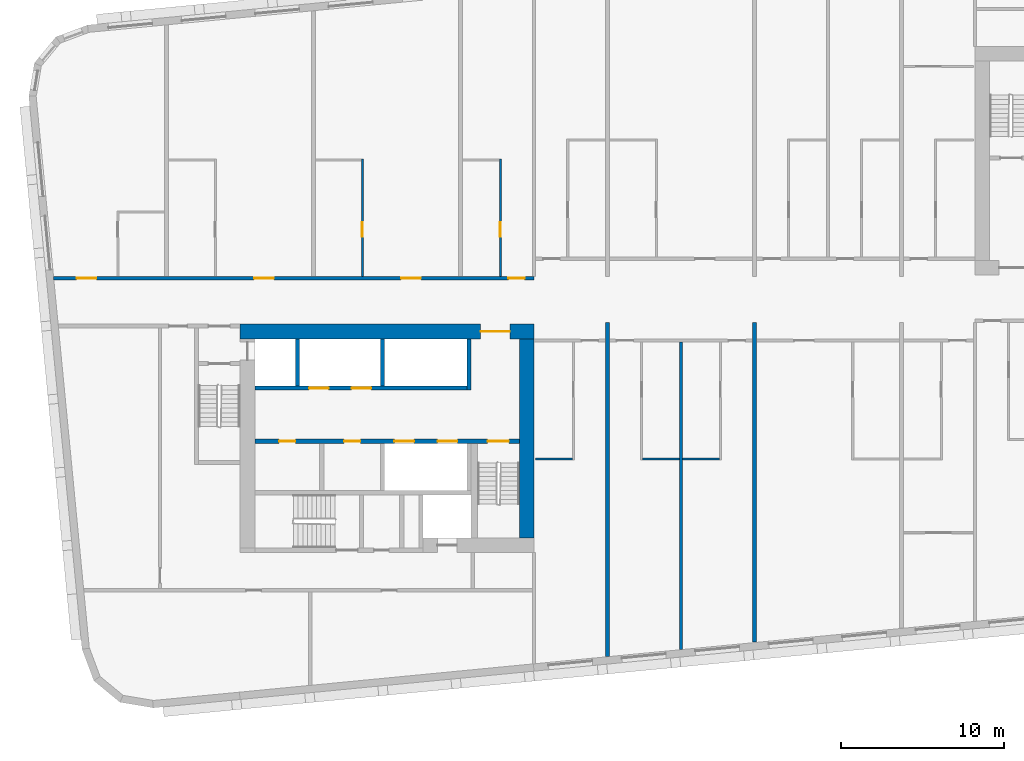
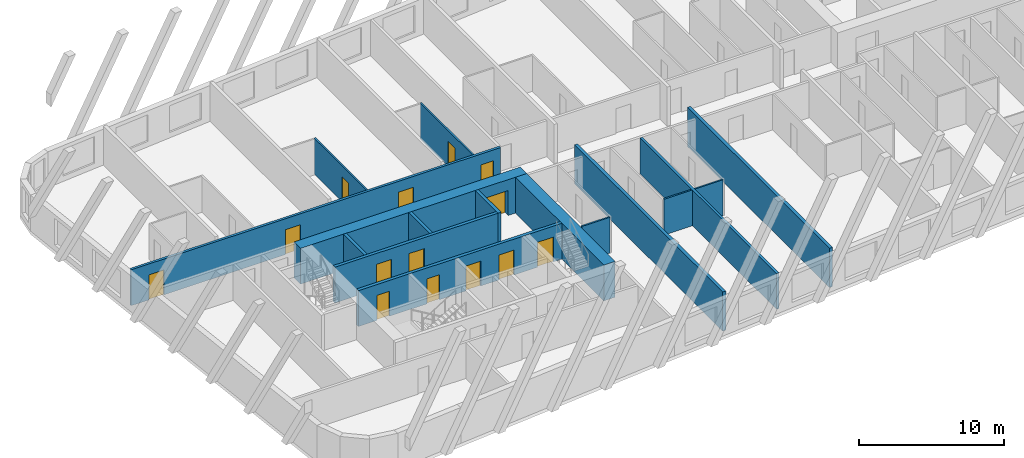
# One storey, part 3 of 13: 16 walls, 14 doors, 14 openings.
"""IFC4 building model written with IfcOpenShell, lengths in metres."""

from ifc_helpers import new_model, si_unit, direction, frame, frame_2d, origin, place, context, subcontext, project, spatial, rectangle, extrude, material, layer, layer_set, type_object, element, fill, save


model = new_model("IFC4")

# Units and contexts
model_context = context("Model", 3, precision=1e-05, world=origin(), true_north=direction((0.0, 1.0)))
body_context = subcontext(model_context, "Body", "Model", "MODEL_VIEW")
ifc_project = project(units=[si_unit("LENGTHUNIT", "METRE"), si_unit("AREAUNIT", "SQUARE_METRE"), si_unit("VOLUMEUNIT", "CUBIC_METRE"), si_unit("PLANEANGLEUNIT", "RADIAN"), si_unit("MASSUNIT", "GRAM", prefix="KILO")], contexts=[model_context])

# Site, building, storey
site_placement = place(None, origin())
site = spatial("IfcSite", under=ifc_project, at=site_placement, CompositionType="ELEMENT")
building_placement = place(site_placement, origin())
building = spatial("IfcBuilding", under=site, at=building_placement, Name="Kajstack Hotel Tower", CompositionType="ELEMENT")
storey_placement = place(building_placement, frame((0.0, 0.0, 196.60009765625)))
storey = spatial("IfcBuildingStorey", under=building, at=storey_placement, Name="L47", CompositionType="ELEMENT", Elevation=196.60009765625)

# Wall, opening, door
ifc_material_1 = material(Name="Concrete C60/75", Category="concrete")
ifc_layer_1 = layer(ifc_material_1, 0.89990234375)
ifc_layer_set_1 = layer_set([ifc_layer_1], Name="Core wall 900")
wall_type_1 = type_object("IfcWallType", Name="Core wall 900", PredefinedType="SHEAR", material=ifc_layer_set_1)
wall_1_placement = place(storey_placement, frame((-31.5, -1.949951171875, 0.0), z_axis=(0.0, 0.0, 1.0), x_axis=(1.0, 0.0, 0.0)))
wall_1 = element("IfcWall", 1, at=wall_1_placement, inside=storey, type_object=wall_type_1, Name="Core wall W RN", PredefinedType="SHEAR", context=body_context, shape_type="SweptSolid", body=[
    extrude(rectangle(XDim=18.0, YDim=0.89990234375, at=frame_2d((9.0, 0.0))), origin(), (0.0, 0.0, 1.0), 3.02001953125),
])
opening_1_placement = place(wall_1_placement, frame((14.72509765625, 0.0, 0.0)))
opening_1 = element("IfcOpeningElement", 2, at=opening_1_placement, cuts=wall_1, Name="Opening 47W07", PredefinedType="OPENING", context=body_context, shape_type="SweptSolid", body=[
    extrude(rectangle(XDim=1.800048828125, YDim=2.10009765625, at=frame_2d((0.89990234375, 1.050048828125))), frame((0.0, 0.4599609375, 0.0), z_axis=(0.0, -1.0, 0.0), x_axis=(1.0, 0.0, 0.0)), (0.0, 0.0, 1.0), 0.919921875),
])
ifc_material_2 = material(Name="Glazed steel frame, fire-rated glass", Category="steel")
door_type_1 = type_object("IfcDoorType", Name="Lobby double door 1800", OperationType="DOUBLE_DOOR_DOUBLE_SWING", PredefinedType="DOOR", material=ifc_material_2)
door_1_placement = place(opening_1_placement, origin())
door_1 = element("IfcDoor", 3, at=door_1_placement, inside=storey, type_object=door_type_1, Name="Door 47W07", OperationType="DOUBLE_DOOR_DOUBLE_SWING", OverallHeight=2.10009765625, OverallWidth=1.800048828125, PredefinedType="DOOR", context=body_context, shape_type="SweptSolid", body=[
    extrude(rectangle(XDim=1.800048828125, YDim=2.10009765625, at=frame_2d((0.89990234375, 1.050048828125))), frame((0.0, 0.02490234375, 0.0), z_axis=(0.0, -1.0, 0.0), x_axis=(1.0, 0.0, 0.0)), (0.0, 0.0, 1.0), 0.050048828125),
])
fill(opening_1, door_1)

# Wall
wall_2_placement = place(storey_placement, frame((-13.949951171875, -14.60009765625, 0.0), z_axis=(0.0, 0.0, 1.0), x_axis=(0.0, 1.0, 0.0)))
element("IfcWall", 4, at=wall_2_placement, inside=storey, type_object=wall_type_1, Name="Core wall W RE", PredefinedType="SHEAR", context=body_context, shape_type="SweptSolid", body=[
    extrude(rectangle(XDim=12.2001953125, YDim=0.89990234375, at=frame_2d((6.10009765625, 0.0))), origin(), (0.0, 0.0, 1.0), 3.02001953125),
])

# Wall, openings, doors
ifc_material_3 = material(Name="Gypsum board on steel studs, mineral wool", Category="steel")
ifc_layer_2 = layer(ifc_material_3, 0.199951171875)
ifc_layer_set_2 = layer_set([ifc_layer_2], Name="Corridor wall 200")
wall_type_2 = type_object("IfcWallType", Name="Corridor wall 200", PredefinedType="PARTITIONING", material=ifc_layer_set_2)
wall_3_placement = place(storey_placement, frame((-42.9130859375, 1.300048828125, 0.0), z_axis=(0.0, 0.0, 1.0), x_axis=(1.0, 0.0, 0.0)))
wall_3 = element("IfcWall", 5, at=wall_3_placement, inside=storey, type_object=wall_type_2, Name="G-wall-L47-003", PredefinedType="PARTITIONING", context=body_context, shape_type="SweptSolid", body=[
    extrude(rectangle(XDim=29.4130859375, YDim=0.199951171875, at=frame_2d((14.70654296875, 0.0))), origin(), (0.0, 0.0, 1.0), 3.02001953125),
])
opening_2_placement = place(wall_3_placement, frame((1.406005859375, 0.0, 0.0)))
opening_2 = element("IfcOpeningElement", 6, at=opening_2_placement, cuts=wall_3, Name="Opening 47001", PredefinedType="OPENING", context=body_context, shape_type="SweptSolid", body=[
    extrude(rectangle(XDim=1.199951171875, YDim=2.10009765625, at=frame_2d((0.60009765625, 1.050048828125))), frame((0.0, 0.10986328125, 0.0), z_axis=(0.0, -1.0, 0.0), x_axis=(1.0, 0.0, 0.0)), (0.0, 0.0, 1.0), 0.219970703125),
])
opening_3_placement = place(wall_3_placement, frame((12.27490234375, 0.0, 0.0)))
opening_3 = element("IfcOpeningElement", 7, at=opening_3_placement, cuts=wall_3, Name="Opening 47003", PredefinedType="OPENING", context=body_context, shape_type="SweptSolid", body=[
    extrude(rectangle(XDim=1.199951171875, YDim=2.10009765625, at=frame_2d((0.60009765625, 1.050048828125))), frame((0.0, 0.10986328125, 0.0), z_axis=(0.0, -1.0, 0.0), x_axis=(1.0, 0.0, 0.0)), (0.0, 0.0, 1.0), 0.219970703125),
])
opening_4_placement = place(wall_3_placement, frame((21.27490234375, 0.0, 0.0)))
opening_4 = element("IfcOpeningElement", 8, at=opening_4_placement, cuts=wall_3, Name="Opening 47005", PredefinedType="OPENING", context=body_context, shape_type="SweptSolid", body=[
    extrude(rectangle(XDim=1.199951171875, YDim=2.10009765625, at=frame_2d((0.60009765625, 1.050048828125))), frame((0.0, 0.10986328125, 0.0), z_axis=(0.0, -1.0, 0.0), x_axis=(1.0, 0.0, 0.0)), (0.0, 0.0, 1.0), 0.219970703125),
])
opening_5_placement = place(wall_3_placement, frame((27.837890625, 0.0, 0.0)))
opening_5 = element("IfcOpeningElement", 9, at=opening_5_placement, cuts=wall_3, Name="Opening 47007", PredefinedType="OPENING", context=body_context, shape_type="SweptSolid", body=[
    extrude(rectangle(XDim=1.0, YDim=2.10009765625, at=frame_2d((0.5, 1.050048828125))), frame((0.0, 0.10986328125, 0.0), z_axis=(0.0, -1.0, 0.0), x_axis=(1.0, 0.0, 0.0)), (0.0, 0.0, 1.0), 0.219970703125),
])
ifc_material_4 = material(Name="Oak veneer on timber core, fire-rated leaf", Category="wood")
door_type_2 = type_object("IfcDoorType", Name="Flat entrance door 1000", OperationType="SINGLE_SWING_LEFT", PredefinedType="DOOR", material=ifc_material_4)
door_2_placement = place(opening_5_placement, origin())
door_2 = element("IfcDoor", 10, at=door_2_placement, inside=storey, type_object=door_type_2, Name="G-door-L47-07", OperationType="SINGLE_SWING_RIGHT", OverallHeight=2.10009765625, OverallWidth=1.0, PredefinedType="DOOR", context=body_context, shape_type="SweptSolid", body=[
    extrude(rectangle(XDim=1.0, YDim=2.10009765625, at=frame_2d((0.5, 1.050048828125))), frame((0.0, 0.02490234375, 0.0), z_axis=(0.0, -1.0, 0.0), x_axis=(1.0, 0.0, 0.0)), (0.0, 0.0, 1.0), 0.050048828125),
])
fill(opening_5, door_2)
door_type_3 = type_object("IfcDoorType", Name="Flat entrance door 1200", OperationType="SINGLE_SWING_LEFT", PredefinedType="DOOR", material=ifc_material_4)
door_3_placement = place(opening_2_placement, origin())
door_3 = element("IfcDoor", 11, at=door_3_placement, inside=storey, type_object=door_type_3, Name="G-door-L47-01", OperationType="SINGLE_SWING_LEFT", OverallHeight=2.10009765625, OverallWidth=1.199951171875, PredefinedType="DOOR", context=body_context, shape_type="SweptSolid", body=[
    extrude(rectangle(XDim=1.199951171875, YDim=2.10009765625, at=frame_2d((0.60009765625, 1.050048828125))), frame((0.0, 0.02490234375, 0.0), z_axis=(0.0, -1.0, 0.0), x_axis=(1.0, 0.0, 0.0)), (0.0, 0.0, 1.0), 0.050048828125),
])
fill(opening_2, door_3)
door_4_placement = place(opening_3_placement, origin())
door_4 = element("IfcDoor", 12, at=door_4_placement, inside=storey, type_object=door_type_3, Name="G-door-L47-03", OperationType="SINGLE_SWING_LEFT", OverallHeight=2.10009765625, OverallWidth=1.199951171875, PredefinedType="DOOR", context=body_context, shape_type="SweptSolid", body=[
    extrude(rectangle(XDim=1.199951171875, YDim=2.10009765625, at=frame_2d((0.60009765625, 1.050048828125))), frame((0.0, 0.02490234375, 0.0), z_axis=(0.0, -1.0, 0.0), x_axis=(1.0, 0.0, 0.0)), (0.0, 0.0, 1.0), 0.050048828125),
])
fill(opening_3, door_4)
door_5_placement = place(opening_4_placement, origin())
door_5 = element("IfcDoor", 13, at=door_5_placement, inside=storey, type_object=door_type_3, Name="G-door-L47-05", OperationType="SINGLE_SWING_LEFT", OverallHeight=2.10009765625, OverallWidth=1.199951171875, PredefinedType="DOOR", context=body_context, shape_type="SweptSolid", body=[
    extrude(rectangle(XDim=1.199951171875, YDim=2.10009765625, at=frame_2d((0.60009765625, 1.050048828125))), frame((0.0, 0.02490234375, 0.0), z_axis=(0.0, -1.0, 0.0), x_axis=(1.0, 0.0, 0.0)), (0.0, 0.0, 1.0), 0.050048828125),
])
fill(opening_4, door_5)

# Wall
ifc_material_5 = material(Name="Twin-frame gypsum board on steel studs, mineral wool", Category="steel")
ifc_layer_3 = layer(ifc_material_5, 0.199951171875)
ifc_layer_set_3 = layer_set([ifc_layer_3], Name="Demising wall 200")
wall_type_3 = type_object("IfcWallType", Name="Demising wall 200", PredefinedType="PARTITIONING", material=ifc_layer_set_3)
wall_4_placement = place(storey_placement, frame((-4.5, -21.43408203125, 0.0), z_axis=(0.0, 0.0, 1.0), x_axis=(0.0, 1.0, 0.0)))
element("IfcWall", 14, at=wall_4_placement, inside=storey, type_object=wall_type_3, Name="G-wall-L47-030", PredefinedType="PARTITIONING", context=body_context, shape_type="SweptSolid", body=[
    extrude(rectangle(XDim=18.833984375, YDim=0.199951171875, at=frame_2d((9.4169921875, 0.0))), origin(), (0.0, 0.0, 1.0), 3.02001953125),
])

# Wall, opening, door
ifc_material_6 = material(Name="Gypsum board and tiled backer on steel studs", Category="steel")
ifc_layer_4 = layer(ifc_material_6, 0.125)
ifc_layer_set_4 = layer_set([ifc_layer_4], Name="En-suite wall 125")
wall_type_4 = type_object("IfcWallType", Name="En-suite wall 125", PredefinedType="PARTITIONING", material=ifc_layer_set_4)
wall_5_placement = place(storey_placement, frame((-24.011962890625, 1.39990234375, 0.0), z_axis=(0.0, 0.0, 1.0), x_axis=(0.0, 1.0, 0.0)))
wall_5 = element("IfcWall", 15, at=wall_5_placement, inside=storey, type_object=wall_type_4, Name="G-wall-L47-009", PredefinedType="PARTITIONING", context=body_context, shape_type="SweptSolid", body=[
    extrude(rectangle(XDim=7.22509765625, YDim=0.125, at=frame_2d((3.612548828125, 0.0))), origin(), (0.0, 0.0, 1.0), 3.02001953125),
])
opening_6_placement = place(wall_5_placement, frame((2.449951171875, 0.0, 0.0)))
opening_6 = element("IfcOpeningElement", 16, at=opening_6_placement, cuts=wall_5, Name="Opening 47006", PredefinedType="OPENING", context=body_context, shape_type="SweptSolid", body=[
    extrude(rectangle(XDim=0.89990234375, YDim=2.10009765625, at=frame_2d((0.449951171875, 1.050048828125))), frame((0.0, 0.072509765625, 0.0), z_axis=(0.0, -1.0, 0.0), x_axis=(1.0, 0.0, 0.0)), (0.0, 0.0, 1.0), 0.14501953125),
])
ifc_material_7 = material(Name="Painted timber door leaf", Category="wood")
door_type_4 = type_object("IfcDoorType", Name="Room door 900", OperationType="SINGLE_SWING_LEFT", PredefinedType="DOOR", material=ifc_material_7)
door_6_placement = place(opening_6_placement, origin())
door_6 = element("IfcDoor", 17, at=door_6_placement, inside=storey, type_object=door_type_4, Name="G-door-L47-06", OperationType="SINGLE_SWING_LEFT", OverallHeight=2.10009765625, OverallWidth=0.89990234375, PredefinedType="DOOR", context=body_context, shape_type="SweptSolid", body=[
    extrude(rectangle(XDim=0.89990234375, YDim=2.10009765625, at=frame_2d((0.449951171875, 1.050048828125))), frame((0.0, 0.02490234375, 0.0), z_axis=(0.0, -1.0, 0.0), x_axis=(1.0, 0.0, 0.0)), (0.0, 0.0, 1.0), 0.050048828125),
])
fill(opening_6, door_6)

wall_6_placement = place(storey_placement, frame((-15.56201171875, 1.39990234375, 0.0), z_axis=(0.0, 0.0, 1.0), x_axis=(0.0, 1.0, 0.0)))
wall_6 = element("IfcWall", 18, at=wall_6_placement, inside=storey, type_object=wall_type_4, Name="G-wall-L47-012", PredefinedType="PARTITIONING", context=body_context, shape_type="SweptSolid", body=[
    extrude(rectangle(XDim=7.22509765625, YDim=0.125, at=frame_2d((3.612548828125, 0.0))), origin(), (0.0, 0.0, 1.0), 3.02001953125),
])
opening_7_placement = place(wall_6_placement, frame((2.449951171875, 0.0, 0.0)))
opening_7 = element("IfcOpeningElement", 19, at=opening_7_placement, cuts=wall_6, Name="Opening 47008", PredefinedType="OPENING", context=body_context, shape_type="SweptSolid", body=[
    extrude(rectangle(XDim=0.89990234375, YDim=2.10009765625, at=frame_2d((0.449951171875, 1.050048828125))), frame((0.0, 0.072509765625, 0.0), z_axis=(0.0, -1.0, 0.0), x_axis=(1.0, 0.0, 0.0)), (0.0, 0.0, 1.0), 0.14501953125),
])
door_7_placement = place(opening_7_placement, origin())
door_7 = element("IfcDoor", 20, at=door_7_placement, inside=storey, type_object=door_type_4, Name="G-door-L47-08", OperationType="SINGLE_SWING_RIGHT", OverallHeight=2.10009765625, OverallWidth=0.89990234375, PredefinedType="DOOR", context=body_context, shape_type="SweptSolid", body=[
    extrude(rectangle(XDim=0.89990234375, YDim=2.10009765625, at=frame_2d((0.449951171875, 1.050048828125))), frame((0.0, 0.02490234375, 0.0), z_axis=(0.0, -1.0, 0.0), x_axis=(1.0, 0.0, 0.0)), (0.0, 0.0, 1.0), 0.050048828125),
])
fill(opening_7, door_7)

# Walls
for number, where, z_axis, x_axis, name in (
    (21, (-13.39990234375, -9.761962890625, 0.0), (0.0, 0.0, 1.0), (1.0, 0.0, 0.0), "G-wall-L47-029"),
    (22, (-6.85009765625, -9.761962890625, 0.0), (0.0, 0.0, 1.0), (1.0, 0.0, 0.0), "G-wall-L47-032"),
    (23, (-4.39990234375, -9.761962890625, 0.0), (0.0, 0.0, 1.0), (1.0, 0.0, 0.0), "G-wall-L47-034"),
):
    element("IfcWall", number, at=place(storey_placement, frame(where, z_axis=z_axis, x_axis=x_axis)), inside=storey, type_object=wall_type_4, Name=name, PredefinedType="PARTITIONING", context=body_context, shape_type="SweptSolid", body=[
        extrude(rectangle(XDim=2.25, YDim=0.125, at=frame_2d((1.125, 0.0))), origin(), (0.0, 0.0, 1.0), 3.02001953125),
    ])
ifc_material_8 = material(Name="Concrete C50/60", Category="concrete")
ifc_layer_5 = layer(ifc_material_8, 0.300048828125)
ifc_layer_set_5 = layer_set([ifc_layer_5], Name="Hoistway divider wall 300")
wall_type_5 = type_object("IfcWallType", Name="Hoistway divider wall 300", PredefinedType="SHEAR", material=ifc_layer_set_5)
wall_7_placement = place(storey_placement, frame((-22.77490234375, -5.300048828125, 0.0), z_axis=(0.0, 0.0, 1.0), x_axis=(0.0, 1.0, 0.0)))
element("IfcWall", 24, at=wall_7_placement, inside=storey, type_object=wall_type_5, Name="Core wall W AP2", PredefinedType="SHEAR", context=body_context, shape_type="SweptSolid", body=[
    extrude(rectangle(XDim=2.900146484375, YDim=0.25, at=frame_2d((1.4501953125, 0.0))), origin(), (0.0, 0.0, 1.0), 3.02001953125),
])
ifc_layer_6 = layer(ifc_material_8, 0.25)
ifc_layer_set_6 = layer_set([ifc_layer_6], Name="RC cross wall 250 C50/60")
wall_type_6 = type_object("IfcWallType", Name="RC cross wall 250 C50/60", PredefinedType="SHEAR", material=ifc_layer_set_6)
wall_8_placement = place(storey_placement, frame((-9.0, -21.84521484375, 0.0), z_axis=(0.0, 0.0, 1.0), x_axis=(0.0, 1.0, 0.0)))
element("IfcWall", 25, at=wall_8_placement, inside=storey, type_object=wall_type_6, Name="S-wall-L47-04", PredefinedType="SHEAR", context=body_context, shape_type="SweptSolid", body=[
    extrude(rectangle(XDim=20.4453125, YDim=0.25, at=frame_2d((10.22265625, 0.0))), origin(), (0.0, 0.0, 1.0), 3.2998046875),
])
wall_9_placement = place(storey_placement, frame((0.0, -20.978515625, 0.0), z_axis=(0.0, 0.0, 1.0), x_axis=(0.0, 1.0, 0.0)))
element("IfcWall", 26, at=wall_9_placement, inside=storey, type_object=wall_type_6, Name="S-wall-L47-06", PredefinedType="SHEAR", context=body_context, shape_type="SweptSolid", body=[
    extrude(rectangle(XDim=19.57861328125, YDim=0.25, at=frame_2d((9.789306640625, 0.0))), origin(), (0.0, 0.0, 1.0), 3.2998046875),
])

# Wall, openings, doors
ifc_layer_7 = layer(ifc_material_8, 0.25)
ifc_layer_set_7 = layer_set([ifc_layer_7], Name="Shaft wall 250")
wall_type_7 = type_object("IfcWallType", Name="Shaft wall 250", PredefinedType="SHEAR", material=ifc_layer_set_7)
wall_10_placement = place(storey_placement, frame((-30.60009765625, -5.425048828125, 0.0), z_axis=(0.0, 0.0, 1.0), x_axis=(1.0, 0.0, 0.0)))
wall_10 = element("IfcWall", 27, at=wall_10_placement, inside=storey, type_object=wall_type_7, Name="Core wall W FA", PredefinedType="SHEAR", context=body_context, shape_type="SweptSolid", body=[
    extrude(rectangle(XDim=13.0, YDim=0.25, at=frame_2d((6.5, 0.0))), origin(), (0.0, 0.0, 1.0), 3.02001953125),
])
opening_8_placement = place(wall_10_placement, frame((3.324951171875, 0.0, 0.0)))
opening_8 = element("IfcOpeningElement", 28, at=opening_8_placement, cuts=wall_10, Name="Opening LD-MR3", PredefinedType="OPENING", context=body_context, shape_type="SweptSolid", body=[
    extrude(rectangle(XDim=1.199951171875, YDim=2.10009765625, at=frame_2d((0.60009765625, 1.050048828125))), frame((0.0, 0.135009765625, 0.0), z_axis=(0.0, -1.0, 0.0), x_axis=(1.0, 0.0, 0.0)), (0.0, 0.0, 1.0), 0.27001953125),
])
opening_9_placement = place(wall_10_placement, frame((5.925048828125, 0.0, 0.0)))
opening_9 = element("IfcOpeningElement", 29, at=opening_9_placement, cuts=wall_10, Name="Opening LD-MR4", PredefinedType="OPENING", context=body_context, shape_type="SweptSolid", body=[
    extrude(rectangle(XDim=1.199951171875, YDim=2.10009765625, at=frame_2d((0.60009765625, 1.050048828125))), frame((0.0, 0.135009765625, 0.0), z_axis=(0.0, -1.0, 0.0), x_axis=(1.0, 0.0, 0.0)), (0.0, 0.0, 1.0), 0.27001953125),
])
ifc_material_9 = material(Name="Stainless steel", Category="steel")
door_type_5 = type_object("IfcDoorType", Name="Lift landing door 1200", OperationType="SLIDING_TO_LEFT", PredefinedType="DOOR", material=ifc_material_9)
door_8_placement = place(opening_8_placement, origin())
door_8 = element("IfcDoor", 30, at=door_8_placement, inside=storey, type_object=door_type_5, Name="Landing door MR3", OperationType="SLIDING_TO_RIGHT", OverallHeight=2.10009765625, OverallWidth=1.199951171875, PredefinedType="DOOR", context=body_context, shape_type="SweptSolid", body=[
    extrude(rectangle(XDim=1.199951171875, YDim=2.10009765625, at=frame_2d((0.60009765625, 1.050048828125))), frame((0.0, 0.02490234375, 0.0), z_axis=(0.0, -1.0, 0.0), x_axis=(1.0, 0.0, 0.0)), (0.0, 0.0, 1.0), 0.050048828125),
])
fill(opening_8, door_8)
door_9_placement = place(opening_9_placement, origin())
door_9 = element("IfcDoor", 31, at=door_9_placement, inside=storey, type_object=door_type_5, Name="Landing door MR4", OperationType="SLIDING_TO_RIGHT", OverallHeight=2.10009765625, OverallWidth=1.199951171875, PredefinedType="DOOR", context=body_context, shape_type="SweptSolid", body=[
    extrude(rectangle(XDim=1.199951171875, YDim=2.10009765625, at=frame_2d((0.60009765625, 1.050048828125))), frame((0.0, 0.02490234375, 0.0), z_axis=(0.0, -1.0, 0.0), x_axis=(1.0, 0.0, 0.0)), (0.0, 0.0, 1.0), 0.050048828125),
])
fill(opening_9, door_9)

# Walls
wall_11_placement = place(storey_placement, frame((-17.47509765625, -5.550048828125, 0.0), z_axis=(0.0, 0.0, 1.0), x_axis=(0.0, 1.0, 0.0)))
element("IfcWall", 32, at=wall_11_placement, inside=storey, type_object=wall_type_7, Name="Core wall W AE", PredefinedType="SHEAR", context=body_context, shape_type="SweptSolid", body=[
    extrude(rectangle(XDim=3.150146484375, YDim=0.25, at=frame_2d((1.5751953125, 0.0))), origin(), (0.0, 0.0, 1.0), 3.02001953125),
])
wall_12_placement = place(storey_placement, frame((-27.97509765625, -5.300048828125, 0.0), z_axis=(0.0, 0.0, 1.0), x_axis=(0.0, 1.0, 0.0)))
element("IfcWall", 33, at=wall_12_placement, inside=storey, type_object=wall_type_7, Name="Core wall W AP0", PredefinedType="SHEAR", context=body_context, shape_type="SweptSolid", body=[
    extrude(rectangle(XDim=2.900146484375, YDim=0.25, at=frame_2d((1.4501953125, 0.0))), origin(), (0.0, 0.0, 1.0), 3.02001953125),
])

# Wall, openings, doors
wall_13_placement = place(storey_placement, frame((-30.60009765625, -8.675048828125, 0.0), z_axis=(0.0, 0.0, 1.0), x_axis=(1.0, 0.0, 0.0)))
wall_13 = element("IfcWall", 34, at=wall_13_placement, inside=storey, type_object=wall_type_7, Name="Core wall W FB", PredefinedType="SHEAR", context=body_context, shape_type="SweptSolid", body=[
    extrude(rectangle(XDim=16.2001953125, YDim=0.25, at=frame_2d((8.10009765625, 0.0))), origin(), (0.0, 0.0, 1.0), 3.02001953125),
])
opening_10_placement = place(wall_13_placement, frame((8.550048828125, 0.0, 0.0)))
opening_10 = element("IfcOpeningElement", 35, at=opening_10_placement, cuts=wall_13, Name="Opening LD-MR1", PredefinedType="OPENING", context=body_context, shape_type="SweptSolid", body=[
    extrude(rectangle(XDim=1.199951171875, YDim=2.10009765625, at=frame_2d((0.60009765625, 1.050048828125))), frame((0.0, 0.135009765625, 0.0), z_axis=(0.0, -1.0, 0.0), x_axis=(1.0, 0.0, 0.0)), (0.0, 0.0, 1.0), 0.27001953125),
])
opening_11_placement = place(wall_13_placement, frame((11.199951171875, 0.0, 0.0)))
opening_11 = element("IfcOpeningElement", 36, at=opening_11_placement, cuts=wall_13, Name="Opening LD-MR2", PredefinedType="OPENING", context=body_context, shape_type="SweptSolid", body=[
    extrude(rectangle(XDim=1.199951171875, YDim=2.10009765625, at=frame_2d((0.60009765625, 1.050048828125))), frame((0.0, 0.135009765625, 0.0), z_axis=(0.0, -1.0, 0.0), x_axis=(1.0, 0.0, 0.0)), (0.0, 0.0, 1.0), 0.27001953125),
])
opening_12_placement = place(wall_13_placement, frame((14.25, 0.0, 0.0)))
opening_12 = element("IfcOpeningElement", 37, at=opening_12_placement, cuts=wall_13, Name="Opening 47W11", PredefinedType="OPENING", context=body_context, shape_type="SweptSolid", body=[
    extrude(rectangle(XDim=1.300048828125, YDim=2.10009765625, at=frame_2d((0.64990234375, 1.050048828125))), frame((0.0, 0.135009765625, 0.0), z_axis=(0.0, -1.0, 0.0), x_axis=(1.0, 0.0, 0.0)), (0.0, 0.0, 1.0), 0.27001953125),
])
opening_13_placement = place(wall_13_placement, frame((1.487548828125, 0.0, 0.0)))
opening_13 = element("IfcOpeningElement", 38, at=opening_13_placement, cuts=wall_13, Name="Opening 47W14", PredefinedType="OPENING", context=body_context, shape_type="SweptSolid", body=[
    extrude(rectangle(XDim=1.0, YDim=2.10009765625, at=frame_2d((0.5, 1.050048828125))), frame((0.0, 0.135009765625, 0.0), z_axis=(0.0, -1.0, 0.0), x_axis=(1.0, 0.0, 0.0)), (0.0, 0.0, 1.0), 0.27001953125),
])
opening_14_placement = place(wall_13_placement, frame((5.46240234375, 0.0, 0.0)))
opening_14 = element("IfcOpeningElement", 39, at=opening_14_placement, cuts=wall_13, Name="Opening 47W15", PredefinedType="OPENING", context=body_context, shape_type="SweptSolid", body=[
    extrude(rectangle(XDim=1.0, YDim=2.10009765625, at=frame_2d((0.5, 1.050048828125))), frame((0.0, 0.135009765625, 0.0), z_axis=(0.0, -1.0, 0.0), x_axis=(1.0, 0.0, 0.0)), (0.0, 0.0, 1.0), 0.27001953125),
])
door_10_placement = place(opening_10_placement, origin())
door_10 = element("IfcDoor", 40, at=door_10_placement, inside=storey, type_object=door_type_5, Name="Landing door MR1", OperationType="SLIDING_TO_LEFT", OverallHeight=2.10009765625, OverallWidth=1.199951171875, PredefinedType="DOOR", context=body_context, shape_type="SweptSolid", body=[
    extrude(rectangle(XDim=1.199951171875, YDim=2.10009765625, at=frame_2d((0.60009765625, 1.050048828125))), frame((0.0, 0.02490234375, 0.0), z_axis=(0.0, -1.0, 0.0), x_axis=(1.0, 0.0, 0.0)), (0.0, 0.0, 1.0), 0.050048828125),
])
fill(opening_10, door_10)
door_11_placement = place(opening_11_placement, origin())
door_11 = element("IfcDoor", 41, at=door_11_placement, inside=storey, type_object=door_type_5, Name="Landing door MR2", OperationType="SLIDING_TO_RIGHT", OverallHeight=2.10009765625, OverallWidth=1.199951171875, PredefinedType="DOOR", context=body_context, shape_type="SweptSolid", body=[
    extrude(rectangle(XDim=1.199951171875, YDim=2.10009765625, at=frame_2d((0.60009765625, 1.050048828125))), frame((0.0, 0.02490234375, 0.0), z_axis=(0.0, -1.0, 0.0), x_axis=(1.0, 0.0, 0.0)), (0.0, 0.0, 1.0), 0.050048828125),
])
fill(opening_11, door_11)
ifc_material_10 = material(Name="Timber leaf, fire-rated", Category="wood")
door_type_6 = type_object("IfcDoorType", Name="Service room door 1000", OperationType="SINGLE_SWING_LEFT", PredefinedType="DOOR", material=ifc_material_10)
door_12_placement = place(opening_13_placement, origin())
door_12 = element("IfcDoor", 42, at=door_12_placement, inside=storey, type_object=door_type_6, Name="Door 47W14", OperationType="SINGLE_SWING_RIGHT", OverallHeight=2.10009765625, OverallWidth=1.0, PredefinedType="DOOR", context=body_context, shape_type="SweptSolid", body=[
    extrude(rectangle(XDim=1.0, YDim=2.10009765625, at=frame_2d((0.5, 1.050048828125))), frame((0.0, 0.02490234375, 0.0), z_axis=(0.0, -1.0, 0.0), x_axis=(1.0, 0.0, 0.0)), (0.0, 0.0, 1.0), 0.050048828125),
])
fill(opening_13, door_12)
door_13_placement = place(opening_14_placement, origin())
door_13 = element("IfcDoor", 43, at=door_13_placement, inside=storey, type_object=door_type_6, Name="Door 47W15", OperationType="SINGLE_SWING_RIGHT", OverallHeight=2.10009765625, OverallWidth=1.0, PredefinedType="DOOR", context=body_context, shape_type="SweptSolid", body=[
    extrude(rectangle(XDim=1.0, YDim=2.10009765625, at=frame_2d((0.5, 1.050048828125))), frame((0.0, 0.02490234375, 0.0), z_axis=(0.0, -1.0, 0.0), x_axis=(1.0, 0.0, 0.0)), (0.0, 0.0, 1.0), 0.050048828125),
])
fill(opening_14, door_13)
ifc_material_11 = material(Name="Steel leaf, fire-rated", Category="steel")
door_type_7 = type_object("IfcDoorType", Name="Stair door 1300", OperationType="SINGLE_SWING_LEFT", PredefinedType="DOOR", material=ifc_material_11)
door_14_placement = place(opening_12_placement, origin())
door_14 = element("IfcDoor", 44, at=door_14_placement, inside=storey, type_object=door_type_7, Name="Door 47W11", OperationType="SINGLE_SWING_RIGHT", OverallHeight=2.10009765625, OverallWidth=1.300048828125, PredefinedType="DOOR", context=body_context, shape_type="SweptSolid", body=[
    extrude(rectangle(XDim=1.300048828125, YDim=2.10009765625, at=frame_2d((0.64990234375, 1.050048828125))), frame((0.0, 0.02490234375, 0.0), z_axis=(0.0, -1.0, 0.0), x_axis=(1.0, 0.0, 0.0)), (0.0, 0.0, 1.0), 0.050048828125),
])
fill(opening_12, door_14)

save(model, "model.ifc")
